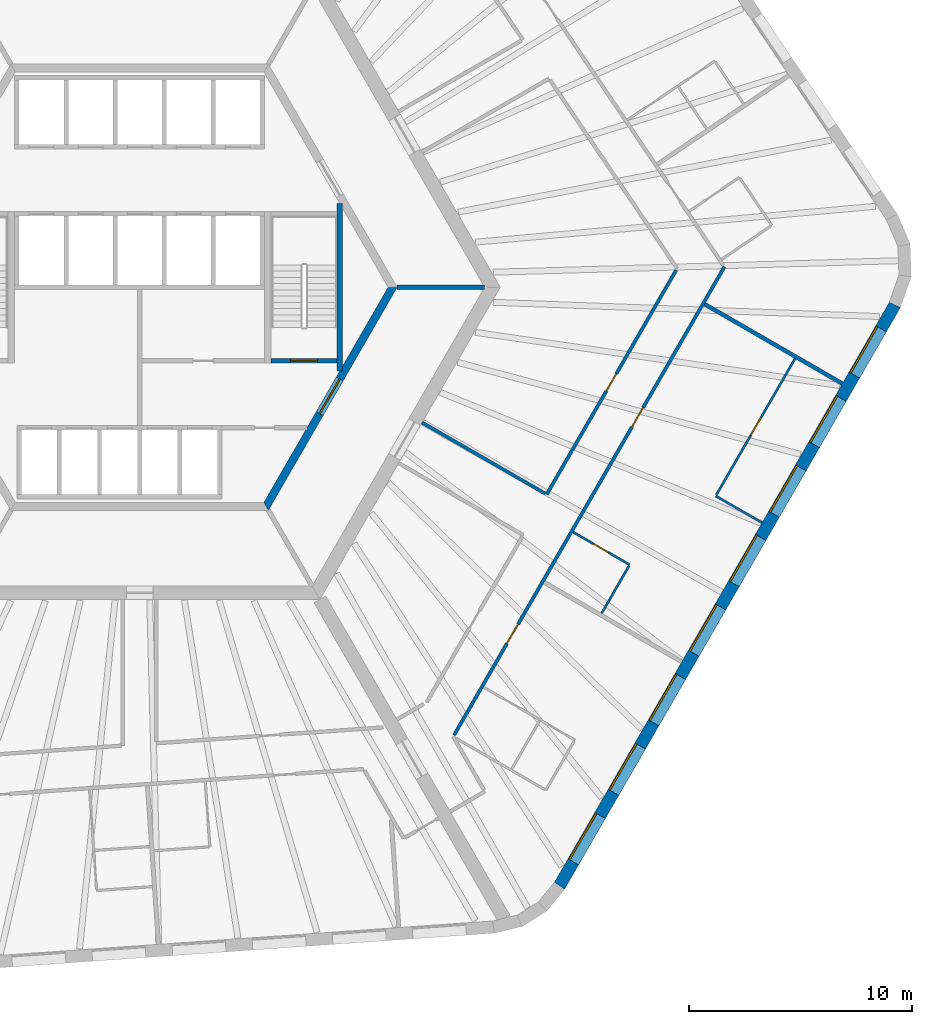
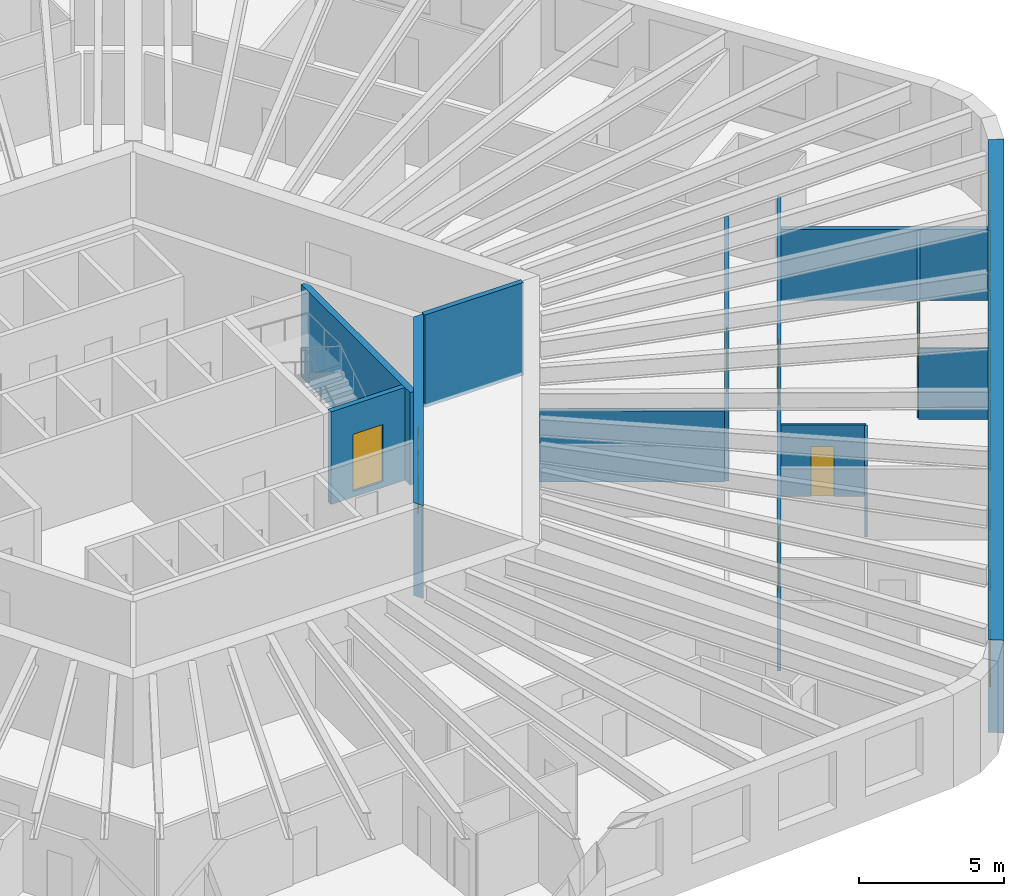
# One storey, part 6 of 11: 13 walls, 8 windows, 7 doors, 15 openings.
"""IFC4 building model written with IfcOpenShell, lengths in metres."""

from ifc_helpers import new_model, si_unit, direction, frame, frame_2d, origin, place, context, subcontext, project, spatial, polyline, rectangle, outline, extrude, material, layer, layer_set, type_object, element, fill, save


model = new_model("IFC4")

# Units and contexts
model_context = context("Model", 3, precision=1e-05, world=origin(), true_north=direction((0.0, 1.0)))
body_context = subcontext(model_context, "Body", "Model", "MODEL_VIEW")
ifc_project = project(units=[si_unit("LENGTHUNIT", "METRE"), si_unit("AREAUNIT", "SQUARE_METRE"), si_unit("VOLUMEUNIT", "CUBIC_METRE"), si_unit("PLANEANGLEUNIT", "RADIAN"), si_unit("MASSUNIT", "GRAM", prefix="KILO")], contexts=[model_context])

# Site, building, storey
site_placement = place(None, origin())
site = spatial("IfcSite", under=ifc_project, at=site_placement, CompositionType="ELEMENT")
building_placement = place(site_placement, origin())
building = spatial("IfcBuilding", under=site, at=building_placement, Name="Tarnside Tower", CompositionType="ELEMENT")
storey_placement = place(building_placement, frame((0.0, 0.0, 103.800048828125)))
storey = spatial("IfcBuildingStorey", under=building, at=storey_placement, Name="L23", CompositionType="ELEMENT", Elevation=103.800048828125)

# Wall, opening, door
ifc_material_1 = material(Name="Gypsum board partition on steel studs", Category="steel")
ifc_layer_1 = layer(ifc_material_1, 0.10009765625)
ifc_layer_set_1 = layer_set([ifc_layer_1], Name="Bathroom wall 100")
wall_type_1 = type_object("IfcWallType", Name="Bathroom wall 100", PredefinedType="PARTITIONING", material=ifc_layer_set_1)
wall_1_placement = place(storey_placement, frame((19.439453125, -10.979736328125, 0.0), z_axis=(0.0, 0.0, 1.0), x_axis=(0.866046596414, -0.499963291492, 0.0)))
wall_1 = element("IfcWall", 1, at=wall_1_placement, inside=storey, type_object=wall_type_1, Name="Bathroom wall 07139", PredefinedType="PARTITIONING", context=body_context, shape_type="SweptSolid", body=[
    extrude(rectangle(XDim=2.925048828125, YDim=0.10009765625, at=frame_2d((1.46240234375, 0.0))), origin(), (0.0, 0.0, 1.0), 2.98779296875),
])
opening_1_placement = place(wall_1_placement, frame((1.02490234375, 0.0, 0.0)))
opening_1 = element("IfcOpeningElement", 2, at=opening_1_placement, cuts=wall_1, Name="Opening D-B1", PredefinedType="OPENING", context=body_context, shape_type="SweptSolid", body=[
    extrude(rectangle(XDim=0.800048828125, YDim=2.10009765625, at=frame_2d((0.39990234375, 1.050048828125))), frame((0.0, 0.06005859375, 0.0), z_axis=(0.0, -1.0, 0.0), x_axis=(1.0, 0.0, 0.0)), (0.0, 0.0, 1.0), 0.1201171875),
])
ifc_material_2 = material(Name="Timber door leaf", Category="wood")
door_type_1 = type_object("IfcDoorType", Name="Bathroom door 800", OperationType="NOTDEFINED", PredefinedType="DOOR", material=ifc_material_2)
door_1_placement = place(opening_1_placement, origin())
door_1 = element("IfcDoor", 3, at=door_1_placement, inside=storey, type_object=door_type_1, Name="Bathroom door 07033", OperationType="SINGLE_SWING_RIGHT", OverallHeight=2.10009765625, OverallWidth=0.800048828125, PredefinedType="DOOR", context=body_context, shape_type="SweptSolid", body=[
    extrude(rectangle(XDim=0.800048828125, YDim=2.10009765625, at=frame_2d((0.39990234375, 1.050048828125))), frame((0.0, 0.02490234375, 0.0), z_axis=(0.0, -1.0, 0.0), x_axis=(1.0, 0.0, 0.0)), (0.0, 0.0, 1.0), 0.050048828125),
])
fill(opening_1, door_1)

# Wall
wall_2_placement = place(storey_placement, frame((21.94775390625, -12.485595703125, 0.0), z_axis=(0.0, 0.0, 1.0), x_axis=(-0.500003092839, -0.866023618125, 0.0)))
element("IfcWall", 4, at=wall_2_placement, inside=storey, type_object=wall_type_1, Name="Bathroom wall 07140", PredefinedType="PARTITIONING", context=body_context, shape_type="SweptSolid", body=[
    extrude(rectangle(XDim=2.4599609375, YDim=0.10009765625, at=frame_2d((1.22998046875, 0.0))), origin(), (0.0, 0.0, 1.0), 2.98779296875),
])

# Wall, opening, door
ifc_material_3 = material(Name="Concrete C50/60", Category="concrete")
ifc_layer_2 = layer(ifc_material_3, 0.35009765625)
ifc_layer_set_2 = layer_set([ifc_layer_2], Name="Core block wall 350 C50/60")
wall_type_2 = type_object("IfcWallType", Name="Core block wall 350 C50/60", PredefinedType="SHEAR", material=ifc_layer_set_2)
wall_3_placement = place(storey_placement, frame((5.672607421875, -9.824951171875, -0.150146484375), z_axis=(0.0, 0.0, 1.0), x_axis=(0.499995046907, 0.866028263435, 0.0)))
wall_3 = element("IfcWall", 5, at=wall_3_placement, inside=storey, type_object=wall_type_2, Name="L23 core block wall face 5", PredefinedType="SHEAR", context=body_context, shape_type="SweptSolid", body=[
    extrude(outline(polyline([(-0.10107421875, -0.175048828125), (11.44580078125, -0.175048828125), (11.24365234375, 0.175048828125), (0.10107421875, 0.175048828125), (-0.10107421875, -0.175048828125)])), origin(), (0.0, 0.0, 1.0), 3.900146484375),
])
opening_2_placement = place(wall_3_placement, frame((4.80126953125, 0.0, 0.14990234375)))
opening_2 = element("IfcOpeningElement", 6, at=opening_2_placement, cuts=wall_3, Name="Opening CD-FFL", PredefinedType="OPENING", context=body_context, shape_type="SweptSolid", body=[
    extrude(rectangle(XDim=1.800048828125, YDim=2.39990234375, at=frame_2d((0.89990234375, 1.199951171875))), frame((0.0, 0.18505859375, 0.0), z_axis=(0.0, -1.0, 0.0), x_axis=(1.0, 0.0, 0.0)), (0.0, 0.0, 1.0), 0.3701171875),
])
ifc_material_4 = material(Name="Steel fire door", Category="steel")
door_type_2 = type_object("IfcDoorType", Name="Firefighting lobby double door FD60S 1800x2400", OperationType="NOTDEFINED", PredefinedType="DOOR", material=ifc_material_4)
door_2_placement = place(opening_2_placement, origin())
door_2 = element("IfcDoor", 7, at=door_2_placement, inside=storey, type_object=door_type_2, Name="L23 lobby block door P4", OperationType="DOUBLE_DOOR_SINGLE_SWING", OverallHeight=2.39990234375, OverallWidth=1.800048828125, PredefinedType="DOOR", context=body_context, shape_type="SweptSolid", body=[
    extrude(rectangle(XDim=1.800048828125, YDim=2.39990234375, at=frame_2d((0.89990234375, 1.199951171875))), frame((0.0, 0.02490234375, 0.0), z_axis=(0.0, -1.0, 0.0), x_axis=(1.0, 0.0, 0.0)), (0.0, 0.0, 1.0), 0.050048828125),
])
fill(opening_2, door_2)

# Wall, openings, doors
ifc_layer_3 = layer(ifc_material_1, 0.14990234375)
ifc_layer_set_3 = layer_set([ifc_layer_3], Name="Corridor wall 150 EI 60")
wall_type_3 = type_object("IfcWallType", Name="Corridor wall 150 EI 60", PredefinedType="PARTITIONING", material=ifc_layer_set_3)
wall_4_placement = place(storey_placement, frame((14.101806640625, -20.074951171875, 0.0), z_axis=(0.0, 0.0, 1.0), x_axis=(0.499996816197, 0.866027241946, 0.0)))
wall_4 = element("IfcWall", 8, at=wall_4_placement, inside=storey, type_object=wall_type_3, Name="Corridor wall 07054", PredefinedType="PARTITIONING", context=body_context, shape_type="SweptSolid", body=[
    extrude(rectangle(XDim=24.238037109375, YDim=0.14990234375, at=frame_2d((12.119140625, 0.0))), origin(), (0.0, 0.0, 1.0), 2.98779296875),
])
opening_3_placement = place(wall_4_placement, frame((4.7294921875, 0.0, 0.0)))
opening_3 = element("IfcOpeningElement", 9, at=opening_3_placement, cuts=wall_4, Name="Opening D-E1", PredefinedType="OPENING", context=body_context, shape_type="SweptSolid", body=[
    extrude(rectangle(XDim=1.0, YDim=2.10009765625, at=frame_2d((0.5, 1.050048828125))), frame((0.0, 0.0849609375, 0.0), z_axis=(0.0, -1.0, 0.0), x_axis=(1.0, 0.0, 0.0)), (0.0, 0.0, 1.0), 0.169921875),
])
opening_4_placement = place(wall_4_placement, frame((15.945556640625, 0.0, 0.0)))
opening_4 = element("IfcOpeningElement", 10, at=opening_4_placement, cuts=wall_4, Name="Opening D-E1", PredefinedType="OPENING", context=body_context, shape_type="SweptSolid", body=[
    extrude(rectangle(XDim=1.0, YDim=2.10009765625, at=frame_2d((0.5, 1.050048828125))), frame((0.0, 0.0849609375, 0.0), z_axis=(0.0, -1.0, 0.0), x_axis=(1.0, 0.0, 0.0)), (0.0, 0.0, 1.0), 0.169921875),
])
door_type_3 = type_object("IfcDoorType", Name="Unit entrance door 1000 FD30S", OperationType="NOTDEFINED", PredefinedType="DOOR", material=ifc_material_2)
door_3_placement = place(opening_3_placement, origin())
door_3 = element("IfcDoor", 11, at=door_3_placement, inside=storey, type_object=door_type_3, Name="Unit door 07029", OperationType="SINGLE_SWING_LEFT", OverallHeight=2.10009765625, OverallWidth=1.0, PredefinedType="DOOR", context=body_context, shape_type="SweptSolid", body=[
    extrude(rectangle(XDim=1.0, YDim=2.10009765625, at=frame_2d((0.5, 1.050048828125))), frame((0.0, 0.02490234375, 0.0), z_axis=(0.0, -1.0, 0.0), x_axis=(1.0, 0.0, 0.0)), (0.0, 0.0, 1.0), 0.050048828125),
])
fill(opening_3, door_3)
door_4_placement = place(opening_4_placement, origin())
door_4 = element("IfcDoor", 12, at=door_4_placement, inside=storey, type_object=door_type_3, Name="Unit door 07032", OperationType="SINGLE_SWING_LEFT", OverallHeight=2.10009765625, OverallWidth=1.0, PredefinedType="DOOR", context=body_context, shape_type="SweptSolid", body=[
    extrude(rectangle(XDim=1.0, YDim=2.10009765625, at=frame_2d((0.5, 1.050048828125))), frame((0.0, 0.02490234375, 0.0), z_axis=(0.0, -1.0, 0.0), x_axis=(1.0, 0.0, 0.0)), (0.0, 0.0, 1.0), 0.050048828125),
])
fill(opening_4, door_4)

# Wall, opening, door
wall_5_placement = place(storey_placement, frame((24.057861328125, 0.769287109375, 0.0), z_axis=(0.0, 0.0, 1.0), x_axis=(-0.499995346943, -0.866028090212, 0.0)))
wall_5 = element("IfcWall", 13, at=wall_5_placement, inside=storey, type_object=wall_type_3, Name="Corridor wall 07069", PredefinedType="PARTITIONING", context=body_context, shape_type="SweptSolid", body=[
    extrude(rectangle(XDim=11.6162109375, YDim=0.14990234375, at=frame_2d((5.80810546875, 0.0))), origin(), (0.0, 0.0, 1.0), 2.98779296875),
])
opening_5_placement = place(wall_5_placement, frame((5.358154296875, 0.0, 0.0)))
opening_5 = element("IfcOpeningElement", 14, at=opening_5_placement, cuts=wall_5, Name="Opening D-S1", PredefinedType="OPENING", context=body_context, shape_type="SweptSolid", body=[
    extrude(rectangle(XDim=0.89990234375, YDim=2.10009765625, at=frame_2d((0.449951171875, 1.050048828125))), frame((0.0, 0.0849609375, 0.0), z_axis=(0.0, -1.0, 0.0), x_axis=(1.0, 0.0, 0.0)), (0.0, 0.0, 1.0), 0.169921875),
])
door_type_4 = type_object("IfcDoorType", Name="Service room door 900 FD30S", OperationType="NOTDEFINED", PredefinedType="DOOR", material=ifc_material_2)
door_5_placement = place(opening_5_placement, origin())
door_5 = element("IfcDoor", 15, at=door_5_placement, inside=storey, type_object=door_type_4, Name="Service door 07048", OperationType="SINGLE_SWING_LEFT", OverallHeight=2.10009765625, OverallWidth=0.89990234375, PredefinedType="DOOR", context=body_context, shape_type="SweptSolid", body=[
    extrude(rectangle(XDim=0.89990234375, YDim=2.10009765625, at=frame_2d((0.449951171875, 1.050048828125))), frame((0.0, 0.02490234375, 0.0), z_axis=(0.0, -1.0, 0.0), x_axis=(1.0, 0.0, 0.0)), (0.0, 0.0, 1.0), 0.050048828125),
])
fill(opening_5, door_5)

# Walls
wall_6_placement = place(storey_placement, frame((18.184814453125, -9.253173828125, 0.0), z_axis=(0.0, 0.0, 1.0), x_axis=(-0.866028703517, 0.499994284652, 0.0)))
element("IfcWall", 16, at=wall_6_placement, inside=storey, type_object=wall_type_3, Name="Corridor wall 07070", PredefinedType="PARTITIONING", context=body_context, shape_type="SweptSolid", body=[
    extrude(rectangle(XDim=6.375, YDim=0.14990234375, at=frame_2d((3.1875, 0.0))), origin(), (0.0, 0.0, 1.0), 2.98779296875),
])
ifc_layer_4 = layer(ifc_material_1, 0.179931640625)
ifc_layer_set_4 = layer_set([ifc_layer_4], Name="Demising wall 180 EI 60")
wall_type_4 = type_object("IfcWallType", Name="Demising wall 180 EI 60", PredefinedType="PARTITIONING", material=ifc_layer_set_4)
wall_7_placement = place(storey_placement, frame((31.510009765625, -4.3232421875, 0.0), z_axis=(0.0, 0.0, 1.0), x_axis=(-0.866009834831, 0.500026965249, 0.0)))
element("IfcWall", 17, at=wall_7_placement, inside=storey, type_object=wall_type_4, Name="Demising wall 07143", PredefinedType="PARTITIONING", context=body_context, shape_type="SweptSolid", body=[
    extrude(rectangle(XDim=7.125, YDim=0.179931640625, at=frame_2d((3.5625, 0.0))), origin(), (0.0, 0.0, 1.0), 2.98779296875),
])
ifc_material_5 = material(Name="Concrete C40/50", Category="concrete")
ifc_layer_5 = layer(ifc_material_5, 0.199951171875)
ifc_layer_set_5 = layer_set([ifc_layer_5], Name="Lift shaft wall 200 C40/50")
wall_type_5 = type_object("IfcWallType", Name="Lift shaft wall 200 C40/50", PredefinedType="SHEAR", material=ifc_layer_set_5)
wall_8_placement = place(storey_placement, frame((11.547119140625, 0.0, -0.150146484375), z_axis=(0.0, 0.0, 1.0), x_axis=(1.0, 0.0, 0.0)))
element("IfcWall", 18, at=wall_8_placement, inside=storey, type_object=wall_type_5, Name="L23 core partition AR0", PredefinedType="SHEAR", context=body_context, shape_type="SweptSolid", body=[
    extrude(rectangle(XDim=3.92578125, YDim=0.199951171875, at=frame_2d((1.962890625, 0.0))), origin(), (0.0, 0.0, 1.0), 3.900146484375),
])

# Wall, opening, door
wall_9_placement = place(storey_placement, frame((5.89990234375, -3.300048828125, -0.25), z_axis=(0.0, 0.0, 1.0), x_axis=(1.0, 0.0, 0.0)))
wall_9 = element("IfcWall", 19, at=wall_9_placement, inside=storey, type_object=wall_type_5, Name="L23 stair 1 enclosure cap wall s", PredefinedType="SHEAR", context=body_context, shape_type="SweptSolid", body=[
    extrude(rectangle(XDim=2.9501953125, YDim=0.199951171875, at=frame_2d((1.47509765625, 0.0))), origin(), (0.0, 0.0, 1.0), 3.89990234375),
])
opening_6_placement = place(wall_9_placement, frame((0.875, 0.0, 0.25)))
opening_6 = element("IfcOpeningElement", 20, at=opening_6_placement, cuts=wall_9, Name="Opening CD-STR", PredefinedType="OPENING", context=body_context, shape_type="SweptSolid", body=[
    extrude(rectangle(XDim=1.199951171875, YDim=2.39990234375, at=frame_2d((0.60009765625, 1.199951171875))), frame((0.0, 0.10986328125, 0.0), z_axis=(0.0, -1.0, 0.0), x_axis=(1.0, 0.0, 0.0)), (0.0, 0.0, 1.0), 0.219970703125),
])
door_type_5 = type_object("IfcDoorType", Name="Stair door FD60S 1200x2400", OperationType="NOTDEFINED", PredefinedType="DOOR", material=ifc_material_4)
door_6_placement = place(opening_6_placement, origin())
door_6 = element("IfcDoor", 21, at=door_6_placement, inside=storey, type_object=door_type_5, Name="L23 stair 1 door", OperationType="SINGLE_SWING_LEFT", OverallHeight=2.39990234375, OverallWidth=1.199951171875, PredefinedType="DOOR", context=body_context, shape_type="SweptSolid", body=[
    extrude(rectangle(XDim=1.199951171875, YDim=2.39990234375, at=frame_2d((0.60009765625, 1.199951171875))), frame((0.0, 0.02490234375, 0.0), z_axis=(0.0, -1.0, 0.0), x_axis=(1.0, 0.0, 0.0)), (0.0, 0.0, 1.0), 0.050048828125),
])
fill(opening_6, door_6)

# Wall
ifc_layer_6 = layer(ifc_material_1, 0.10009765625)
ifc_layer_set_6 = layer_set([ifc_layer_6], Name="Partition 100")
wall_type_6 = type_object("IfcWallType", Name="Partition 100", PredefinedType="PARTITIONING", material=ifc_layer_set_6)
wall_10_placement = place(storey_placement, frame((27.909912109375, -10.55859375, 0.0), z_axis=(0.0, 0.0, 1.0), x_axis=(-0.865980596518, 0.500077600433, 0.0)))
element("IfcWall", 22, at=wall_10_placement, inside=storey, type_object=wall_type_6, Name="Partition wall 07141", PredefinedType="PARTITIONING", context=body_context, shape_type="SweptSolid", body=[
    extrude(rectangle(XDim=2.39990234375, YDim=0.10009765625, at=frame_2d((1.199951171875, 0.0))), origin(), (0.0, 0.0, 1.0), 2.98779296875),
])

# Wall, opening, door
wall_11_placement = place(storey_placement, frame((25.8564453125, -9.315185546875, 0.0), z_axis=(0.0, 0.0, 1.0), x_axis=(0.500010820671, 0.866019156377, 0.0)))
wall_11 = element("IfcWall", 23, at=wall_11_placement, inside=storey, type_object=wall_type_6, Name="Partition wall 07142", PredefinedType="PARTITIONING", context=body_context, shape_type="SweptSolid", body=[
    extrude(rectangle(XDim=7.059814453125, YDim=0.10009765625, at=frame_2d((3.52978515625, 0.0))), origin(), (0.0, 0.0, 1.0), 2.98779296875),
])
opening_7_placement = place(wall_11_placement, frame((3.10009765625, 0.0, 0.0)))
opening_7 = element("IfcOpeningElement", 24, at=opening_7_placement, cuts=wall_11, Name="Opening D-I1", PredefinedType="OPENING", context=body_context, shape_type="SweptSolid", body=[
    extrude(rectangle(XDim=0.89990234375, YDim=2.10009765625, at=frame_2d((0.449951171875, 1.050048828125))), frame((0.0, 0.06005859375, 0.0), z_axis=(0.0, -1.0, 0.0), x_axis=(1.0, 0.0, 0.0)), (0.0, 0.0, 1.0), 0.1201171875),
])
door_type_6 = type_object("IfcDoorType", Name="Internal door 900", OperationType="NOTDEFINED", PredefinedType="DOOR", material=ifc_material_2)
door_7_placement = place(opening_7_placement, origin())
door_7 = element("IfcDoor", 25, at=door_7_placement, inside=storey, type_object=door_type_6, Name="Internal door 07034", OperationType="SINGLE_SWING_RIGHT", OverallHeight=2.10009765625, OverallWidth=0.89990234375, PredefinedType="DOOR", context=body_context, shape_type="SweptSolid", body=[
    extrude(rectangle(XDim=0.89990234375, YDim=2.10009765625, at=frame_2d((0.449951171875, 1.050048828125))), frame((0.0, 0.02490234375, 0.0), z_axis=(0.0, -1.0, 0.0), x_axis=(1.0, 0.0, 0.0)), (0.0, 0.0, 1.0), 0.050048828125),
])
fill(opening_7, door_7)

# Wall
ifc_layer_7 = layer(ifc_material_5, 0.25)
ifc_layer_set_7 = layer_set([ifc_layer_7], Name="Stair enclosure wall 250 C40/50")
wall_type_7 = type_object("IfcWallType", Name="Stair enclosure wall 250 C40/50", PredefinedType="SHEAR", material=ifc_layer_set_7)
wall_12_placement = place(storey_placement, frame((8.97509765625, -3.7548828125, -0.25), z_axis=(0.0, 0.0, 1.0), x_axis=(0.0, 1.0, 0.0)))
element("IfcWall", 26, at=wall_12_placement, inside=storey, type_object=wall_type_7, Name="L23 stair 1 enclosure wall outer", PredefinedType="SHEAR", context=body_context, shape_type="SweptSolid", body=[
    extrude(rectangle(XDim=7.509765625, YDim=0.25, at=frame_2d((3.7548828125, 0.0))), origin(), (0.0, 0.0, 1.0), 3.89990234375),
])

# Wall, openings, windows
ifc_material_6 = material(Name="Facing brick", Category="masonry")
ifc_layer_8 = layer(ifc_material_6, 0.10205078125)
ifc_material_7 = material(Name="Concrete C60/75 precast", Category="concrete")
ifc_layer_9 = layer(ifc_material_7, 0.347900390625)
ifc_material_8 = material(Name="Mineral wool insulation")
ifc_layer_10 = layer(ifc_material_8, 0.10009765625)
ifc_layer_set_8 = layer_set([ifc_layer_8, ifc_layer_9, ifc_layer_10], Name="Tube wall 550 brick faced")
wall_type_8 = type_object("IfcWallType", Name="Tube wall 550 brick faced", PredefinedType="SOLIDWALL", material=ifc_layer_set_8)
wall_13_placement = place(storey_placement, frame((18.830322265625, -26.834716796875, -0.150146484375), z_axis=(0.0, 0.0, 1.0), x_axis=(0.500003800416, 0.866023209602, 0.0)))
wall_13 = element("IfcWall", 27, at=wall_13_placement, inside=storey, type_object=wall_type_8, Name="Tube wall L23 F5 flush 16", PredefinedType="SOLIDWALL", context=body_context, shape_type="SweptSolid", body=[
    extrude(outline(polyline([(-0.0224609375, -0.27490234375), (30.0966796875, -0.27490234375), (30.04541015625, 0.27490234375), (0.0224609375, 0.27490234375), (-0.0224609375, -0.27490234375)])), origin(), (0.0, 0.0, 1.0), 3.900146484375),
])
opening_8_placement = place(wall_13_placement, frame((1.235595703125, 0.0, 1.050048828125)))
opening_8 = element("IfcOpeningElement", 28, at=opening_8_placement, cuts=wall_13, Name="Opening WH", PredefinedType="OPENING", context=body_context, shape_type="SweptSolid", body=[
    extrude(rectangle(XDim=2.39990234375, YDim=2.39990234375, at=frame_2d((1.199951171875, 1.199951171875))), frame((0.0, 0.28515625, 0.0), z_axis=(0.0, -1.0, 0.0), x_axis=(1.0, 0.0, 0.0)), (0.0, 0.0, 1.0), 0.570068359375),
])
opening_9_placement = place(wall_13_placement, frame((4.83544921875, 0.0, 1.050048828125)))
opening_9 = element("IfcOpeningElement", 29, at=opening_9_placement, cuts=wall_13, Name="Opening WH", PredefinedType="OPENING", context=body_context, shape_type="SweptSolid", body=[
    extrude(rectangle(XDim=2.39990234375, YDim=2.39990234375, at=frame_2d((1.199951171875, 1.199951171875))), frame((0.0, 0.28515625, 0.0), z_axis=(0.0, -1.0, 0.0), x_axis=(1.0, 0.0, 0.0)), (0.0, 0.0, 1.0), 0.570068359375),
])
opening_10_placement = place(wall_13_placement, frame((8.435546875, 0.0, 1.050048828125)))
opening_10 = element("IfcOpeningElement", 30, at=opening_10_placement, cuts=wall_13, Name="Opening WH", PredefinedType="OPENING", context=body_context, shape_type="SweptSolid", body=[
    extrude(rectangle(XDim=2.39990234375, YDim=2.39990234375, at=frame_2d((1.199951171875, 1.199951171875))), frame((0.0, 0.28515625, 0.0), z_axis=(0.0, -1.0, 0.0), x_axis=(1.0, 0.0, 0.0)), (0.0, 0.0, 1.0), 0.570068359375),
])
opening_11_placement = place(wall_13_placement, frame((12.035400390625, 0.0, 1.050048828125)))
opening_11 = element("IfcOpeningElement", 31, at=opening_11_placement, cuts=wall_13, Name="Opening WH", PredefinedType="OPENING", context=body_context, shape_type="SweptSolid", body=[
    extrude(rectangle(XDim=2.39990234375, YDim=2.39990234375, at=frame_2d((1.199951171875, 1.199951171875))), frame((0.0, 0.28515625, 0.0), z_axis=(0.0, -1.0, 0.0), x_axis=(1.0, 0.0, 0.0)), (0.0, 0.0, 1.0), 0.570068359375),
])
opening_12_placement = place(wall_13_placement, frame((15.635498046875, 0.0, 1.050048828125)))
opening_12 = element("IfcOpeningElement", 32, at=opening_12_placement, cuts=wall_13, Name="Opening WH", PredefinedType="OPENING", context=body_context, shape_type="SweptSolid", body=[
    extrude(rectangle(XDim=2.39990234375, YDim=2.39990234375, at=frame_2d((1.199951171875, 1.199951171875))), frame((0.0, 0.28515625, 0.0), z_axis=(0.0, -1.0, 0.0), x_axis=(1.0, 0.0, 0.0)), (0.0, 0.0, 1.0), 0.570068359375),
])
opening_13_placement = place(wall_13_placement, frame((19.235595703125, 0.0, 1.050048828125)))
opening_13 = element("IfcOpeningElement", 33, at=opening_13_placement, cuts=wall_13, Name="Opening WH", PredefinedType="OPENING", context=body_context, shape_type="SweptSolid", body=[
    extrude(rectangle(XDim=2.39990234375, YDim=2.39990234375, at=frame_2d((1.199951171875, 1.199951171875))), frame((0.0, 0.28515625, 0.0), z_axis=(0.0, -1.0, 0.0), x_axis=(1.0, 0.0, 0.0)), (0.0, 0.0, 1.0), 0.570068359375),
])
opening_14_placement = place(wall_13_placement, frame((22.83544921875, 0.0, 1.050048828125)))
opening_14 = element("IfcOpeningElement", 34, at=opening_14_placement, cuts=wall_13, Name="Opening WH", PredefinedType="OPENING", context=body_context, shape_type="SweptSolid", body=[
    extrude(rectangle(XDim=2.39990234375, YDim=2.39990234375, at=frame_2d((1.199951171875, 1.199951171875))), frame((0.0, 0.28515625, 0.0), z_axis=(0.0, -1.0, 0.0), x_axis=(1.0, 0.0, 0.0)), (0.0, 0.0, 1.0), 0.570068359375),
])
opening_15_placement = place(wall_13_placement, frame((26.435546875, 0.0, 1.050048828125)))
opening_15 = element("IfcOpeningElement", 35, at=opening_15_placement, cuts=wall_13, Name="Opening WH", PredefinedType="OPENING", context=body_context, shape_type="SweptSolid", body=[
    extrude(rectangle(XDim=2.39990234375, YDim=2.39990234375, at=frame_2d((1.199951171875, 1.199951171875))), frame((0.0, 0.28515625, 0.0), z_axis=(0.0, -1.0, 0.0), x_axis=(1.0, 0.0, 0.0)), (0.0, 0.0, 1.0), 0.570068359375),
])
ifc_material_9 = material(Name="Aluminium-framed double glazing", Category="aluminium")
window_type = type_object("IfcWindowType", Name="Hotel window 2400 x 2400", PartitioningType="DOUBLE_PANEL_VERTICAL", PredefinedType="WINDOW", material=ifc_material_9)
window_1_placement = place(opening_8_placement, frame((0.0, 0.205078125, 0.0)))
window_1 = element("IfcWindow", 36, at=window_1_placement, inside=storey, type_object=window_type, Name="E.WN.L23.F5.00", OverallHeight=2.39990234375, OverallWidth=2.39990234375, PartitioningType="DOUBLE_PANEL_VERTICAL", PredefinedType="WINDOW", context=body_context, shape_type="SweptSolid", body=[
    extrude(rectangle(XDim=2.39990234375, YDim=2.39990234375, at=frame_2d((1.199951171875, 1.199951171875))), frame((0.0, 0.030029296875, 0.0), z_axis=(0.0, -1.0, 0.0), x_axis=(1.0, 0.0, 0.0)), (0.0, 0.0, 1.0), 0.06005859375),
])
fill(opening_8, window_1)
window_2_placement = place(opening_9_placement, frame((0.0, 0.205078125, 0.0)))
window_2 = element("IfcWindow", 37, at=window_2_placement, inside=storey, type_object=window_type, Name="E.WN.L23.F5.01", OverallHeight=2.39990234375, OverallWidth=2.39990234375, PartitioningType="DOUBLE_PANEL_VERTICAL", PredefinedType="WINDOW", context=body_context, shape_type="SweptSolid", body=[
    extrude(rectangle(XDim=2.39990234375, YDim=2.39990234375, at=frame_2d((1.199951171875, 1.199951171875))), frame((0.0, 0.030029296875, 0.0), z_axis=(0.0, -1.0, 0.0), x_axis=(1.0, 0.0, 0.0)), (0.0, 0.0, 1.0), 0.06005859375),
])
fill(opening_9, window_2)
window_3_placement = place(opening_10_placement, frame((0.0, 0.205078125, 0.0)))
window_3 = element("IfcWindow", 38, at=window_3_placement, inside=storey, type_object=window_type, Name="E.WN.L23.F5.02", OverallHeight=2.39990234375, OverallWidth=2.39990234375, PartitioningType="DOUBLE_PANEL_VERTICAL", PredefinedType="WINDOW", context=body_context, shape_type="SweptSolid", body=[
    extrude(rectangle(XDim=2.39990234375, YDim=2.39990234375, at=frame_2d((1.199951171875, 1.199951171875))), frame((0.0, 0.030029296875, 0.0), z_axis=(0.0, -1.0, 0.0), x_axis=(1.0, 0.0, 0.0)), (0.0, 0.0, 1.0), 0.06005859375),
])
fill(opening_10, window_3)
window_4_placement = place(opening_11_placement, frame((0.0, 0.205078125, 0.0)))
window_4 = element("IfcWindow", 39, at=window_4_placement, inside=storey, type_object=window_type, Name="E.WN.L23.F5.03", OverallHeight=2.39990234375, OverallWidth=2.39990234375, PartitioningType="DOUBLE_PANEL_VERTICAL", PredefinedType="WINDOW", context=body_context, shape_type="SweptSolid", body=[
    extrude(rectangle(XDim=2.39990234375, YDim=2.39990234375, at=frame_2d((1.199951171875, 1.199951171875))), frame((0.0, 0.030029296875, 0.0), z_axis=(0.0, -1.0, 0.0), x_axis=(1.0, 0.0, 0.0)), (0.0, 0.0, 1.0), 0.06005859375),
])
fill(opening_11, window_4)
window_5_placement = place(opening_12_placement, frame((0.0, 0.205078125, 0.0)))
window_5 = element("IfcWindow", 40, at=window_5_placement, inside=storey, type_object=window_type, Name="E.WN.L23.F5.04", OverallHeight=2.39990234375, OverallWidth=2.39990234375, PartitioningType="DOUBLE_PANEL_VERTICAL", PredefinedType="WINDOW", context=body_context, shape_type="SweptSolid", body=[
    extrude(rectangle(XDim=2.39990234375, YDim=2.39990234375, at=frame_2d((1.199951171875, 1.199951171875))), frame((0.0, 0.030029296875, 0.0), z_axis=(0.0, -1.0, 0.0), x_axis=(1.0, 0.0, 0.0)), (0.0, 0.0, 1.0), 0.06005859375),
])
fill(opening_12, window_5)
window_6_placement = place(opening_13_placement, frame((0.0, 0.205078125, 0.0)))
window_6 = element("IfcWindow", 41, at=window_6_placement, inside=storey, type_object=window_type, Name="E.WN.L23.F5.05", OverallHeight=2.39990234375, OverallWidth=2.39990234375, PartitioningType="DOUBLE_PANEL_VERTICAL", PredefinedType="WINDOW", context=body_context, shape_type="SweptSolid", body=[
    extrude(rectangle(XDim=2.39990234375, YDim=2.39990234375, at=frame_2d((1.199951171875, 1.199951171875))), frame((0.0, 0.030029296875, 0.0), z_axis=(0.0, -1.0, 0.0), x_axis=(1.0, 0.0, 0.0)), (0.0, 0.0, 1.0), 0.06005859375),
])
fill(opening_13, window_6)
window_7_placement = place(opening_14_placement, frame((0.0, 0.205078125, 0.0)))
window_7 = element("IfcWindow", 42, at=window_7_placement, inside=storey, type_object=window_type, Name="E.WN.L23.F5.06", OverallHeight=2.39990234375, OverallWidth=2.39990234375, PartitioningType="DOUBLE_PANEL_VERTICAL", PredefinedType="WINDOW", context=body_context, shape_type="SweptSolid", body=[
    extrude(rectangle(XDim=2.39990234375, YDim=2.39990234375, at=frame_2d((1.199951171875, 1.199951171875))), frame((0.0, 0.030029296875, 0.0), z_axis=(0.0, -1.0, 0.0), x_axis=(1.0, 0.0, 0.0)), (0.0, 0.0, 1.0), 0.06005859375),
])
fill(opening_14, window_7)
window_8_placement = place(opening_15_placement, frame((0.0, 0.205078125, 0.0)))
window_8 = element("IfcWindow", 43, at=window_8_placement, inside=storey, type_object=window_type, Name="E.WN.L23.F5.07", OverallHeight=2.39990234375, OverallWidth=2.39990234375, PartitioningType="DOUBLE_PANEL_VERTICAL", PredefinedType="WINDOW", context=body_context, shape_type="SweptSolid", body=[
    extrude(rectangle(XDim=2.39990234375, YDim=2.39990234375, at=frame_2d((1.199951171875, 1.199951171875))), frame((0.0, 0.030029296875, 0.0), z_axis=(0.0, -1.0, 0.0), x_axis=(1.0, 0.0, 0.0)), (0.0, 0.0, 1.0), 0.06005859375),
])
fill(opening_15, window_8)

save(model, "model.ifc")
